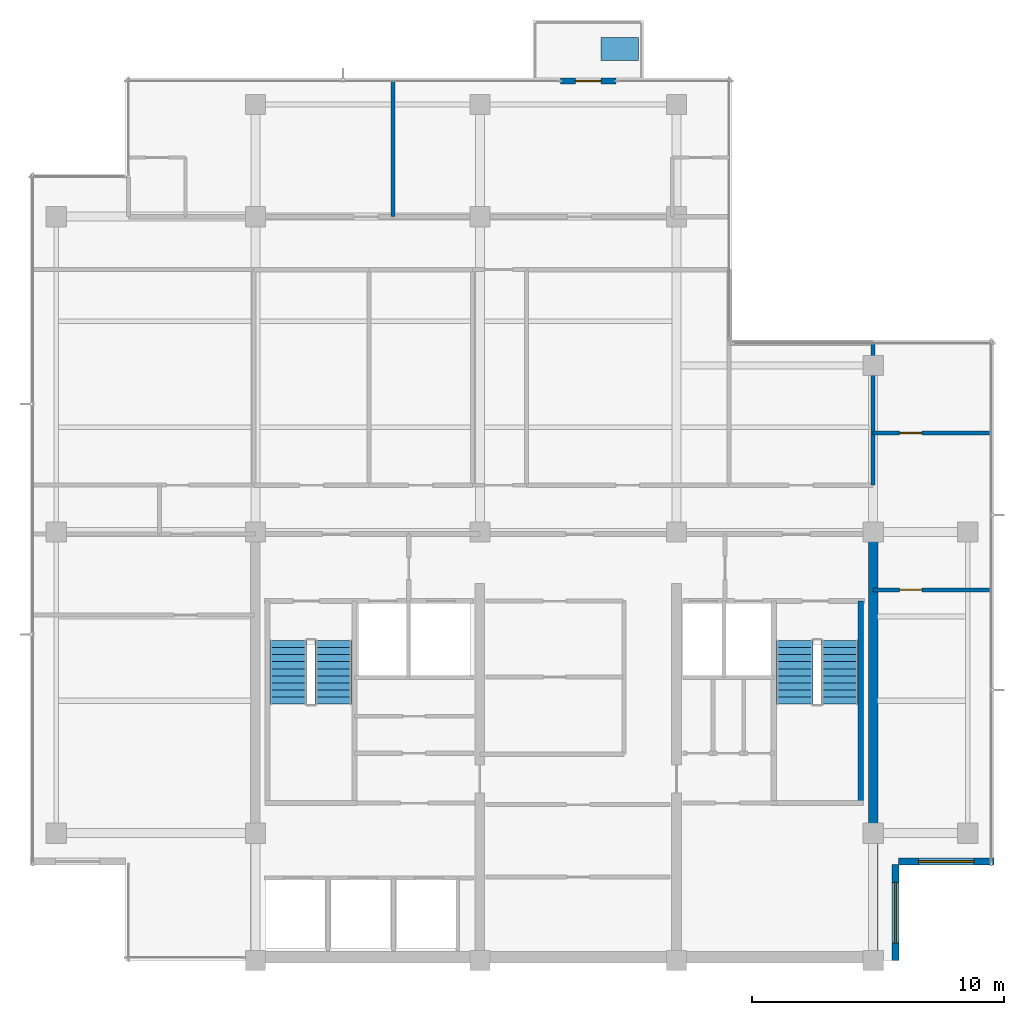
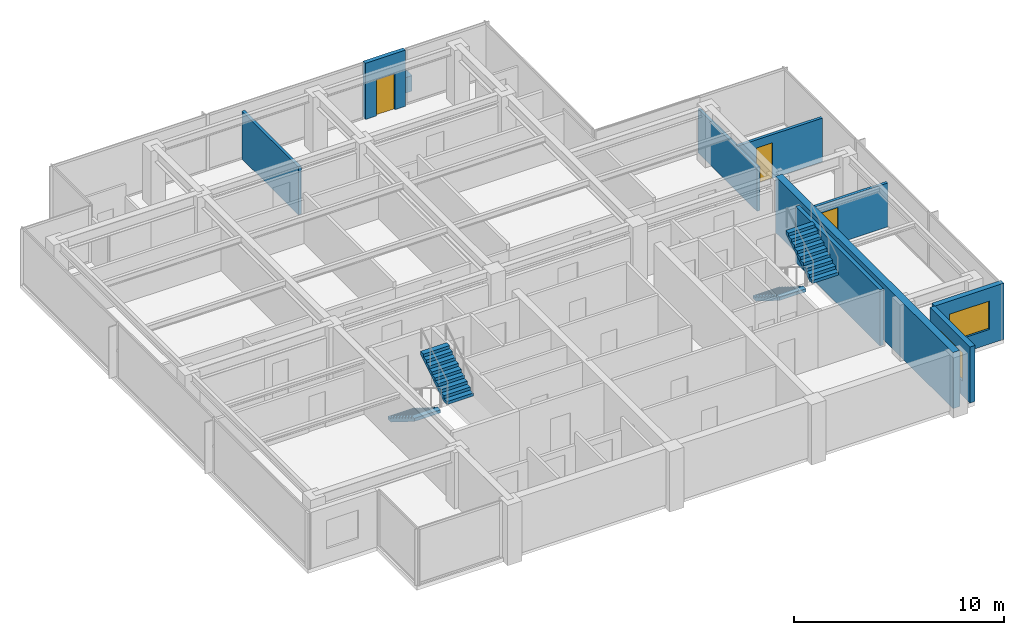
# One storey, part 8 of 11: 9 walls, 4 stair flights, 3 doors, 2 windows, 1 discrete accessory, 5 openings, 2 elements without a shape of their own.
"""IFC4 building model written with IfcOpenShell, lengths in metres."""

from ifc_helpers import new_model, si_unit, direction, frame, frame_2d, origin, place, context, subcontext, project, spatial, polyline, rectangle, outline, extrude, material, layer, layer_set, type_object, element, fill, aggregate, save


model = new_model("IFC4")

# Units and contexts
model_context = context("Model", 3, precision=1e-05, world=origin(), true_north=direction((0.0, 1.0)))
body_context = subcontext(model_context, "Body", "Model", "MODEL_VIEW")
ifc_project = project(units=[si_unit("LENGTHUNIT", "METRE"), si_unit("AREAUNIT", "SQUARE_METRE"), si_unit("VOLUMEUNIT", "CUBIC_METRE"), si_unit("PLANEANGLEUNIT", "RADIAN"), si_unit("MASSUNIT", "GRAM", prefix="KILO")], contexts=[model_context])

# Site, building, storey
site_placement = place(None, origin())
site = spatial("IfcSite", under=ifc_project, at=site_placement, CompositionType="ELEMENT")
building_placement = place(site_placement, origin())
building = spatial("IfcBuilding", under=site, at=building_placement, Name="Qalmaran Belvedere Hotel", CompositionType="ELEMENT")
storey_placement = place(building_placement, frame((0.0, 0.0, 277.39990234375)))
storey = spatial("IfcBuildingStorey", under=building, at=storey_placement, Name="L72", CompositionType="ELEMENT", Elevation=277.39990234375)

# Wall, opening, door
ifc_material_1 = material(Name="Anodised Bronze Cladding")
ifc_layer_1 = layer(ifc_material_1, 0.22509765625, Name="Anodised Bronze Cladding")
ifc_layer_set_1 = layer_set([ifc_layer_1], Name="Anodised Bronze Cladding")
wall_type_1 = type_object("IfcWallType", Name="WL-BAL-PORT-225", PredefinedType="SOLIDWALL", material=ifc_layer_set_1)
wall_1_placement = place(storey_placement, frame((32.39990234375, 38.3798828125, 0.0), z_axis=(0.0, 0.0, 1.0), x_axis=(1.0, 0.0, 0.0)))
wall_1 = element("IfcWall", 1, at=wall_1_placement, inside=storey, type_object=wall_type_1, Name="L72 Tree Balcony Door Portal", PredefinedType="SOLIDWALL", context=body_context, shape_type="SweptSolid", body=[
    extrude(rectangle(XDim=2.2001953125, YDim=0.22509765625, at=frame_2d((1.10009765625, 0.0))), origin(), (0.0, 0.0, 1.0), 3.260009765625),
])
opening_1_placement = place(wall_1_placement, frame((0.590087890625, 0.0, 0.0)))
opening_1 = element("IfcOpeningElement", 2, at=opening_1_placement, cuts=wall_1, Name="Opening BL-102", PredefinedType="OPENING", context=body_context, shape_type="SweptSolid", body=[
    extrude(rectangle(XDim=1.02001953125, YDim=2.10009765625, at=frame_2d((0.510009765625, 1.050048828125))), frame((0.0, 0.12255859375, 0.0), z_axis=(0.0, -1.0, 0.0), x_axis=(1.0, 0.0, 0.0)), (0.0, 0.0, 1.0), 0.2451171875),
])
ifc_material_2 = material(Name="Anodised Bronze Aluminium", Category="aluminium")
door_type_1 = type_object("IfcDoorType", Name="DR-BAL-1020X2100", OperationType="NOTDEFINED", PredefinedType="DOOR", material=ifc_material_2)
door_1_placement = place(opening_1_placement, origin())
door_1 = element("IfcDoor", 3, at=door_1_placement, inside=storey, type_object=door_type_1, Name="L72 Planted Tree Balcony Door", OperationType="SINGLE_SWING_LEFT", OverallHeight=2.10009765625, OverallWidth=1.02001953125, PredefinedType="DOOR", context=body_context, shape_type="SweptSolid", body=[
    extrude(rectangle(XDim=1.02001953125, YDim=2.10009765625, at=frame_2d((0.510009765625, 1.050048828125))), frame((0.0, 0.02490234375, 0.0), z_axis=(0.0, -1.0, 0.0), x_axis=(1.0, 0.0, 0.0)), (0.0, 0.0, 1.0), 0.050048828125),
])
fill(opening_1, door_1)

# Wall
ifc_material_3 = material(Name="Concrete C50/60", Category="concrete")
ifc_layer_2 = layer(ifc_material_3, 0.3798828125, Name="Concrete C50/60")
ifc_layer_set_2 = layer_set([ifc_layer_2], Name="Concrete C50/60")
wall_type_2 = type_object("IfcWallType", Name="WL-CORE-380-C50", PredefinedType="SHEAR", material=ifc_layer_set_2)
wall_2_placement = place(storey_placement, frame((44.800048828125, 3.5, 0.0), z_axis=(0.0, 0.0, 1.0), x_axis=(0.0, 1.0, 0.0)))
element("IfcWall", 4, at=wall_2_placement, inside=storey, type_object=wall_type_2, Name="L72 East Core Shear Wall", PredefinedType="SHEAR", context=body_context, shape_type="SweptSolid", body=[
    extrude(rectangle(XDim=16.89990234375, YDim=0.3798828125, at=frame_2d((8.449951171875, 0.0))), origin(), (0.0, 0.0, 1.0), 3.260009765625),
])

# Wall, opening, window
ifc_layer_3 = layer(ifc_material_1, 0.280029296875, Name="Anodised Bronze Cladding")
ifc_layer_set_3 = layer_set([ifc_layer_3], Name="Anodised Bronze Cladding")
wall_type_3 = type_object("IfcWallType", Name="WL-EXT-BRNZ-280", PredefinedType="SOLIDWALL", material=ifc_layer_set_3)
wall_3_placement = place(storey_placement, frame((45.679931640625, 3.5, 0.0), z_axis=(0.0, 0.0, 1.0), x_axis=(0.0, 1.0, 0.0)))
wall_3 = element("IfcWall", 5, at=wall_3_placement, inside=storey, type_object=wall_type_3, Name="L72 Corner Notch Wall 1", PredefinedType="SOLIDWALL", context=body_context, shape_type="SweptSolid", body=[
    extrude(rectangle(XDim=3.800048828125, YDim=0.280029296875, at=frame_2d((1.89990234375, 0.0))), origin(), (0.0, 0.0, 1.0), 3.260009765625),
])
opening_2_placement = place(wall_3_placement, frame((0.699951171875, 0.0, 0.85009765625)))
opening_2 = element("IfcOpeningElement", 6, at=opening_2_placement, cuts=wall_3, Name="Opening W-N24", PredefinedType="OPENING", context=body_context, shape_type="SweptSolid", body=[
    extrude(rectangle(XDim=2.39990234375, YDim=1.64990234375, at=frame_2d((1.199951171875, 0.824951171875))), frame((0.0, 0.14990234375, 0.0), z_axis=(0.0, -1.0, 0.0), x_axis=(1.0, 0.0, 0.0)), (0.0, 0.0, 1.0), 0.300048828125),
])
ifc_material_4 = material(Name="Solar-Control Double Glazing", Category="glass")
window_type_1 = type_object("IfcWindowType", Name="WN-NTC-2400X1650", PartitioningType="SINGLE_PANEL", PredefinedType="WINDOW", material=ifc_material_4)
window_1_placement = place(opening_2_placement, origin())
window_1 = element("IfcWindow", 7, at=window_1_placement, inside=storey, type_object=window_type_1, Name="L72 Corner Notch Window 1", OverallHeight=1.64990234375, OverallWidth=2.39990234375, PartitioningType="SINGLE_PANEL", PredefinedType="WINDOW", context=body_context, shape_type="SweptSolid", body=[
    extrude(rectangle(XDim=2.39990234375, YDim=1.64990234375, at=frame_2d((1.199951171875, 0.824951171875))), frame((0.0, 0.030029296875, 0.0), z_axis=(0.0, -1.0, 0.0), x_axis=(1.0, 0.0, 0.0)), (0.0, 0.0, 1.0), 0.06005859375),
])
fill(opening_2, window_1)

wall_4_placement = place(storey_placement, frame((45.800048828125, 7.419921875, 0.0), z_axis=(0.0, 0.0, 1.0), x_axis=(1.0, 0.0, 0.0)))
wall_4 = element("IfcWall", 8, at=wall_4_placement, inside=storey, type_object=wall_type_3, Name="L72 Corner Notch Wall 2", PredefinedType="SOLIDWALL", context=body_context, shape_type="SweptSolid", body=[
    extrude(rectangle(XDim=3.800048828125, YDim=0.280029296875, at=frame_2d((1.89990234375, 0.0))), origin(), (0.0, 0.0, 1.0), 3.260009765625),
])
opening_3_placement = place(wall_4_placement, frame((0.800048828125, 0.0, 0.85009765625)))
opening_3 = element("IfcOpeningElement", 9, at=opening_3_placement, cuts=wall_4, Name="Opening W-N22", PredefinedType="OPENING", context=body_context, shape_type="SweptSolid", body=[
    extrude(rectangle(XDim=2.199951171875, YDim=1.64990234375, at=frame_2d((1.10009765625, 0.824951171875))), frame((0.0, 0.14990234375, 0.0), z_axis=(0.0, -1.0, 0.0), x_axis=(1.0, 0.0, 0.0)), (0.0, 0.0, 1.0), 0.300048828125),
])
window_type_2 = type_object("IfcWindowType", Name="WN-NTC-2200X1650", PartitioningType="SINGLE_PANEL", PredefinedType="WINDOW", material=ifc_material_4)
window_2_placement = place(opening_3_placement, origin())
window_2 = element("IfcWindow", 10, at=window_2_placement, inside=storey, type_object=window_type_2, Name="L72 Corner Notch Window 2", OverallHeight=1.64990234375, OverallWidth=2.199951171875, PartitioningType="SINGLE_PANEL", PredefinedType="WINDOW", context=body_context, shape_type="SweptSolid", body=[
    extrude(rectangle(XDim=2.199951171875, YDim=1.64990234375, at=frame_2d((1.10009765625, 0.824951171875))), frame((0.0, 0.030029296875, 0.0), z_axis=(0.0, -1.0, 0.0), x_axis=(1.0, 0.0, 0.0)), (0.0, 0.0, 1.0), 0.06005859375),
])
fill(opening_3, window_2)

# Wall, opening, door
ifc_material_5 = material(Name="Gypsum Stud Partition")
ifc_layer_4 = layer(ifc_material_5, 0.159912109375, Name="Gypsum Stud Partition")
ifc_layer_set_4 = layer_set([ifc_layer_4], Name="Gypsum Stud Partition")
wall_type_4 = type_object("IfcWallType", Name="WL-INT-160-EI60", PredefinedType="PARTITIONING", material=ifc_layer_set_4)
wall_5_placement = place(storey_placement, frame((44.800048828125, 18.199951171875, 0.0), z_axis=(0.0, 0.0, 1.0), x_axis=(1.0, 0.0, 0.0)))
wall_5 = element("IfcWall", 11, at=wall_5_placement, inside=storey, type_object=wall_type_4, Name="L72 Partition WL-L72-C4EES", PredefinedType="PARTITIONING", context=body_context, shape_type="SweptSolid", body=[
    extrude(rectangle(XDim=4.679931640625, YDim=0.159912109375, at=frame_2d((2.33984375, 0.0))), origin(), (0.0, 0.0, 1.0), 2.550048828125),
])
opening_4_placement = place(wall_5_placement, frame((1.929931640625, 0.0, 0.0), z_axis=(0.0, 0.0, 1.0), x_axis=(-1.0, 0.0, 0.0)))
opening_4 = element("IfcOpeningElement", 12, at=opening_4_placement, cuts=wall_5, Name="Opening FD60B", PredefinedType="OPENING", context=body_context, shape_type="SweptSolid", body=[
    extrude(rectangle(XDim=0.8798828125, YDim=2.080078125, at=frame_2d((0.43994140625, 1.0400390625))), frame((0.0, 0.08984375, 0.0), z_axis=(0.0, -1.0, 0.0), x_axis=(1.0, 0.0, 0.0)), (0.0, 0.0, 1.0), 0.179931640625),
])
ifc_material_6 = material(Name="Steel S355JR", Category="steel")
door_type_2 = type_object("IfcDoorType", Name="DR-FD60B-880X2080", OperationType="NOTDEFINED", PredefinedType="DOOR", material=ifc_material_6)
door_2_placement = place(opening_4_placement, origin())
door_2 = element("IfcDoor", 13, at=door_2_placement, inside=storey, type_object=door_type_2, Name="L72 East Reading Door", OperationType="SINGLE_SWING_RIGHT", OverallHeight=2.080078125, OverallWidth=0.8798828125, PredefinedType="DOOR", context=body_context, shape_type="SweptSolid", body=[
    extrude(rectangle(XDim=0.8798828125, YDim=2.080078125, at=frame_2d((0.43994140625, 1.0400390625))), frame((0.0, 0.02490234375, 0.0), z_axis=(0.0, -1.0, 0.0), x_axis=(1.0, 0.0, 0.0)), (0.0, 0.0, 1.0), 0.050048828125),
])
fill(opening_4, door_2)

wall_6_placement = place(storey_placement, frame((44.800048828125, 24.419921875, 0.0), z_axis=(0.0, 0.0, 1.0), x_axis=(1.0, 0.0, 0.0)))
wall_6 = element("IfcWall", 14, at=wall_6_placement, inside=storey, type_object=wall_type_4, Name="L72 Partition WL-L72-C4EEN", PredefinedType="PARTITIONING", context=body_context, shape_type="SweptSolid", body=[
    extrude(rectangle(XDim=4.679931640625, YDim=0.159912109375, at=frame_2d((2.33984375, 0.0))), origin(), (0.0, 0.0, 1.0), 2.550048828125),
])
opening_5_placement = place(wall_6_placement, frame((1.050048828125, 0.0, 0.0)))
opening_5 = element("IfcOpeningElement", 15, at=opening_5_placement, cuts=wall_6, Name="Opening FD60B", PredefinedType="OPENING", context=body_context, shape_type="SweptSolid", body=[
    extrude(rectangle(XDim=0.8798828125, YDim=2.080078125, at=frame_2d((0.43994140625, 1.0400390625))), frame((0.0, 0.08984375, 0.0), z_axis=(0.0, -1.0, 0.0), x_axis=(1.0, 0.0, 0.0)), (0.0, 0.0, 1.0), 0.179931640625),
])
door_3_placement = place(opening_5_placement, origin())
door_3 = element("IfcDoor", 16, at=door_3_placement, inside=storey, type_object=door_type_2, Name="L72 East Study Door", OperationType="SINGLE_SWING_LEFT", OverallHeight=2.080078125, OverallWidth=0.8798828125, PredefinedType="DOOR", context=body_context, shape_type="SweptSolid", body=[
    extrude(rectangle(XDim=0.8798828125, YDim=2.080078125, at=frame_2d((0.43994140625, 1.0400390625))), frame((0.0, 0.02490234375, 0.0), z_axis=(0.0, -1.0, 0.0), x_axis=(1.0, 0.0, 0.0)), (0.0, 0.0, 1.0), 0.050048828125),
])
fill(opening_5, door_3)

# Walls
wall_7_placement = place(storey_placement, frame((44.800048828125, 22.35009765625, 0.0), z_axis=(0.0, 0.0, 1.0), x_axis=(0.0, 1.0, 0.0)))
element("IfcWall", 17, at=wall_7_placement, inside=storey, type_object=wall_type_4, Name="L72 Partition WL-L72-C4MFVR1", PredefinedType="PARTITIONING", context=body_context, shape_type="SweptSolid", body=[
    extrude(rectangle(XDim=5.6298828125, YDim=0.159912109375, at=frame_2d((2.81494140625, 0.0))), origin(), (0.0, 0.0, 1.0), 2.550048828125),
])
wall_8_placement = place(storey_placement, frame((25.746337890625, 33.0, 0.0), z_axis=(0.0, 0.0, 1.0), x_axis=(0.0, 1.0, 0.0)))
element("IfcWall", 18, at=wall_8_placement, inside=storey, type_object=wall_type_4, Name="L72 Partition WL-L72-NUR00", PredefinedType="PARTITIONING", context=body_context, shape_type="SweptSolid", body=[
    extrude(rectangle(XDim=5.3798828125, YDim=0.159912109375, at=frame_2d((2.68994140625, 0.0))), origin(), (0.0, 0.0, 1.0), 2.781982421875),
])
ifc_layer_5 = layer(ifc_material_3, 0.2099609375, Name="Concrete C50/60")
ifc_layer_set_5 = layer_set([ifc_layer_5], Name="Concrete C50/60")
wall_type_5 = type_object("IfcWallType", Name="WL-STAIR-210-C50", PredefinedType="SHEAR", material=ifc_layer_set_5)
wall_9_placement = place(storey_placement, frame((44.304931640625, 9.7451171875, 0.0), z_axis=(0.0, 0.0, 1.0), x_axis=(0.0, 1.0, 0.0)))
element("IfcWall", 19, at=wall_9_placement, inside=storey, type_object=wall_type_5, Name="L72 Stair ST-2 East Bearing Wall", PredefinedType="SHEAR", context=body_context, shape_type="SweptSolid", body=[
    extrude(rectangle(XDim=8.009765625, YDim=0.2099609375, at=frame_2d((4.0048828125, 0.0))), origin(), (0.0, 0.0, 1.0), 3.260009765625),
])

# Stair, stair flights
ifc_material_7 = material(Name="Concrete C40/50", Category="concrete")
stair_type_1 = type_object("IfcStairType", Name="STR-ST-1-1450-R1750", PredefinedType="HALF_TURN_STAIR", material=ifc_material_7)
stair_1_placement = place(storey_placement, origin())
stair_1 = element("IfcStair", 20, at=stair_1_placement, inside=storey, type_object=stair_type_1, Name="L72 West Core Exit Stair ST-1", PredefinedType="HALF_TURN_STAIR")
ifc_layer_6 = layer(ifc_material_7, 0.14990234375, Name="Concrete C40/50")
ifc_layer_set_6 = layer_set([ifc_layer_6], Name="Concrete C40/50")
stair_flight_type_1 = type_object("IfcStairFlightType", Name="STF-ST-1-1450-R1750", PredefinedType="STRAIGHT", material=ifc_layer_set_6)
stair_flight_1_placement = place(storey_placement, frame((21.60498046875, 16.18994140625, 0.0), z_axis=(0.0, 0.0, 1.0), x_axis=(0.0, -1.0, 0.0)))
stair_flight_1 = element("IfcStairFlight", 21, at=stair_flight_1_placement, type_object=stair_flight_type_1, Name="ST-1 flight 1", NumberOfRisers=10, NumberOfTreads=9, PredefinedType="STRAIGHT", RiserHeight=0.175, TreadLength=0.28, context=body_context, shape_type="SweptSolid", body=[
    extrude(outline(polyline([(0.0, 0.0), (0.0, 0.175048828125), (0.280029296875, 0.175048828125), (0.280029296875, 0.35009765625), (0.56005859375, 0.35009765625), (0.56005859375, 0.52490234375), (0.840087890625, 0.52490234375), (0.840087890625, 0.699951171875), (1.1201171875, 0.699951171875), (1.1201171875, 0.875), (1.39990234375, 0.875), (1.39990234375, 1.050048828125), (1.679931640625, 1.050048828125), (1.679931640625, 1.22509765625), (1.9599609375, 1.22509765625), (1.9599609375, 1.39990234375), (2.239990234375, 1.39990234375), (2.239990234375, 1.574951171875), (2.52001953125, 1.574951171875), (2.52001953125, 1.75), (2.52001953125, 1.398193359375), (0.28271484375, 0.0), (0.0, 0.0)])), frame((0.0, 0.72509765625, 0.0), z_axis=(0.0, -1.0, 0.0), x_axis=(1.0, 0.0, 0.0)), (0.0, 0.0, 1.0), 1.449951171875),
])
stair_flight_2_placement = place(storey_placement, frame((23.39501953125, 13.669921875, 1.75), z_axis=(0.0, 0.0, 1.0), x_axis=(0.0, 1.0, 0.0)))
stair_flight_2 = element("IfcStairFlight", 22, at=stair_flight_2_placement, type_object=stair_flight_type_1, Name="ST-1 flight 2", NumberOfRisers=10, NumberOfTreads=9, PredefinedType="STRAIGHT", RiserHeight=0.175, TreadLength=0.28, context=body_context, shape_type="SweptSolid", body=[
    extrude(outline(polyline([(0.0, 0.0), (0.0, 0.175048828125), (0.280029296875, 0.175048828125), (0.280029296875, 0.35009765625), (0.56005859375, 0.35009765625), (0.56005859375, 0.52490234375), (0.840087890625, 0.52490234375), (0.840087890625, 0.699951171875), (1.1201171875, 0.699951171875), (1.1201171875, 0.875), (1.39990234375, 0.875), (1.39990234375, 1.050048828125), (1.679931640625, 1.050048828125), (1.679931640625, 1.22509765625), (1.9599609375, 1.22509765625), (1.9599609375, 1.39990234375), (2.239990234375, 1.39990234375), (2.239990234375, 1.574951171875), (2.52001953125, 1.574951171875), (2.52001953125, 1.75), (2.52001953125, 1.398193359375), (0.28271484375, 0.0), (0.0, 0.0)])), frame((0.0, 0.72509765625, 0.0), z_axis=(0.0, -1.0, 0.0), x_axis=(1.0, 0.0, 0.0)), (0.0, 0.0, 1.0), 1.449951171875),
])
aggregate(stair_1, [stair_flight_1, stair_flight_2])

stair_type_2 = type_object("IfcStairType", Name="STR-ST-2-1450-R1750", PredefinedType="HALF_TURN_STAIR", material=ifc_material_7)
stair_2_placement = place(storey_placement, origin())
stair_2 = element("IfcStair", 23, at=stair_2_placement, inside=storey, type_object=stair_type_2, Name="L72 East Core Exit Stair ST-2", PredefinedType="HALF_TURN_STAIR")
ifc_layer_7 = layer(ifc_material_7, 0.14990234375, Name="Concrete C40/50")
ifc_layer_set_7 = layer_set([ifc_layer_7], Name="Concrete C40/50")
stair_flight_type_2 = type_object("IfcStairFlightType", Name="STF-ST-2-1450-R1750", PredefinedType="STRAIGHT", material=ifc_layer_set_7)
stair_flight_3_placement = place(storey_placement, frame((41.68505859375, 16.18994140625, 0.0), z_axis=(0.0, 0.0, 1.0), x_axis=(0.0, -1.0, 0.0)))
stair_flight_3 = element("IfcStairFlight", 24, at=stair_flight_3_placement, type_object=stair_flight_type_2, Name="ST-2 flight 1", NumberOfRisers=10, NumberOfTreads=9, PredefinedType="STRAIGHT", RiserHeight=0.175, TreadLength=0.28, context=body_context, shape_type="SweptSolid", body=[
    extrude(outline(polyline([(0.0, 0.0), (0.0, 0.175048828125), (0.280029296875, 0.175048828125), (0.280029296875, 0.35009765625), (0.56005859375, 0.35009765625), (0.56005859375, 0.52490234375), (0.840087890625, 0.52490234375), (0.840087890625, 0.699951171875), (1.1201171875, 0.699951171875), (1.1201171875, 0.875), (1.39990234375, 0.875), (1.39990234375, 1.050048828125), (1.679931640625, 1.050048828125), (1.679931640625, 1.22509765625), (1.9599609375, 1.22509765625), (1.9599609375, 1.39990234375), (2.239990234375, 1.39990234375), (2.239990234375, 1.574951171875), (2.52001953125, 1.574951171875), (2.52001953125, 1.75), (2.52001953125, 1.398193359375), (0.28271484375, 0.0), (0.0, 0.0)])), frame((0.0, 0.72509765625, 0.0), z_axis=(0.0, -1.0, 0.0), x_axis=(1.0, 0.0, 0.0)), (0.0, 0.0, 1.0), 1.449951171875),
])
stair_flight_4_placement = place(storey_placement, frame((43.47509765625, 13.669921875, 1.75), z_axis=(0.0, 0.0, 1.0), x_axis=(0.0, 1.0, 0.0)))
stair_flight_4 = element("IfcStairFlight", 25, at=stair_flight_4_placement, type_object=stair_flight_type_2, Name="ST-2 flight 2", NumberOfRisers=10, NumberOfTreads=9, PredefinedType="STRAIGHT", RiserHeight=0.175, TreadLength=0.28, context=body_context, shape_type="SweptSolid", body=[
    extrude(outline(polyline([(0.0, 0.0), (0.0, 0.175048828125), (0.280029296875, 0.175048828125), (0.280029296875, 0.35009765625), (0.56005859375, 0.35009765625), (0.56005859375, 0.52490234375), (0.840087890625, 0.52490234375), (0.840087890625, 0.699951171875), (1.1201171875, 0.699951171875), (1.1201171875, 0.875), (1.39990234375, 0.875), (1.39990234375, 1.050048828125), (1.679931640625, 1.050048828125), (1.679931640625, 1.22509765625), (1.9599609375, 1.22509765625), (1.9599609375, 1.39990234375), (2.239990234375, 1.39990234375), (2.239990234375, 1.574951171875), (2.52001953125, 1.574951171875), (2.52001953125, 1.75), (2.52001953125, 1.398193359375), (0.28271484375, 0.0), (0.0, 0.0)])), frame((0.0, 0.72509765625, 0.0), z_axis=(0.0, -1.0, 0.0), x_axis=(1.0, 0.0, 0.0)), (0.0, 0.0, 1.0), 1.449951171875),
])
aggregate(stair_2, [stair_flight_3, stair_flight_4])

# Discrete accessory
discrete_accessory_type = type_object("IfcDiscreteAccessoryType", Name="PLN-BAL-1500", PredefinedType="USERDEFINED", material=ifc_material_7)
discrete_accessory_placement = place(storey_placement, origin())
element("IfcDiscreteAccessory", 26, at=discrete_accessory_placement, inside=storey, type_object=discrete_accessory_type, Name="L72 Sky Tree Planter", ObjectType="PLANTER", PredefinedType="USERDEFINED", context=body_context, shape_type="SweptSolid", body=[
    extrude(outline(polyline([(34.0, 39.199951171875), (35.5, 39.199951171875), (35.5, 40.10009765625), (34.0, 40.10009765625), (34.0, 39.199951171875)])), origin(), (0.0, 0.0, 1.0), 0.900146484375),
])

save(model, "model.ifc")
